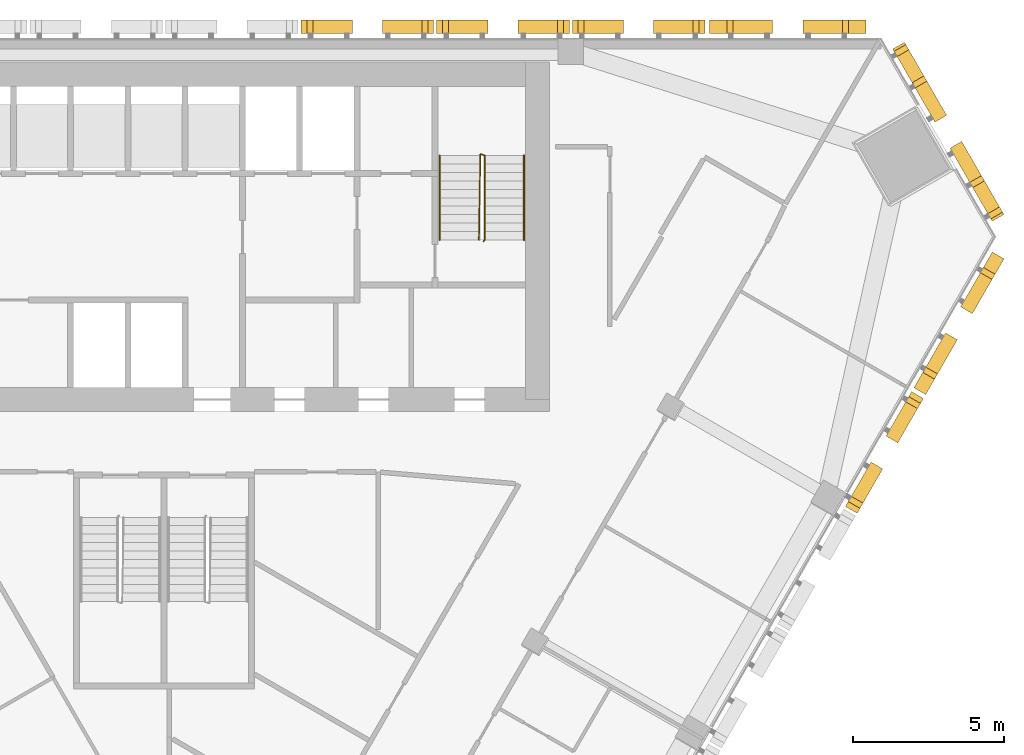
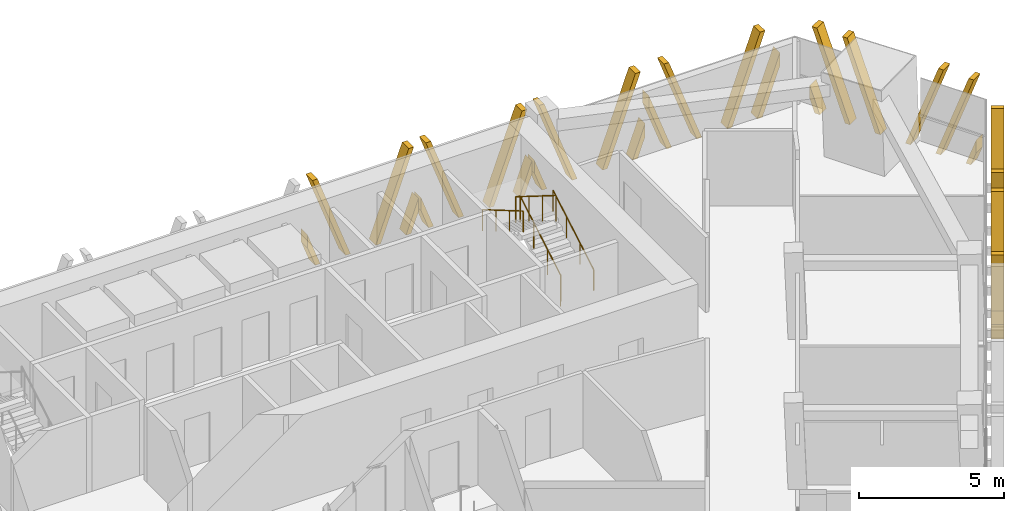
# One storey, part 15 of 16: 7 shading devices, 3 railings.
"""IFC4 building model written with IfcOpenShell, lengths in metres."""

from ifc_helpers import new_model, si_unit, direction, frame, origin, origin_2d, place, context, subcontext, project, spatial, polyline, circle, outline, extrude, source, transform, mapped, material, type_object, element, save


model = new_model("IFC4")

# Units and contexts
model_context = context("Model", 3, precision=1e-05, world=origin(), true_north=direction((0.0, 1.0)))
body_context = subcontext(model_context, "Body", "Model", "MODEL_VIEW")
ifc_project = project(units=[si_unit("LENGTHUNIT", "METRE"), si_unit("AREAUNIT", "SQUARE_METRE"), si_unit("VOLUMEUNIT", "CUBIC_METRE"), si_unit("PLANEANGLEUNIT", "RADIAN"), si_unit("MASSUNIT", "GRAM", prefix="KILO")], contexts=[model_context])

# Site, building, storey
site_placement = place(None, origin())
site = spatial("IfcSite", under=ifc_project, at=site_placement, CompositionType="ELEMENT")
building_placement = place(site_placement, origin())
building = spatial("IfcBuilding", under=site, at=building_placement, Name="Altiplano Prism Tower", CompositionType="ELEMENT")
storey_placement = place(building_placement, frame((0.0, 0.0, 138.60009765625)))
storey = spatial("IfcBuildingStorey", under=building, at=storey_placement, Name="L35", CompositionType="ELEMENT", Elevation=138.60009765625)

# Railings
ifc_material_1 = material(Name="Steel S355", Category="steel")
railing_type_1 = type_object("IfcRailingType", Name="Stair guard 1100", PredefinedType="GUARDRAIL", material=ifc_material_1)
railing_1_placement = place(storey_placement, frame((95.60009765625, 98.25, 0.0)))
element("IfcRailing", 1, at=railing_1_placement, inside=storey, type_object=railing_type_1, Name="L35 ST2 stair guard 1", PredefinedType="GUARDRAIL", context=body_context, shape_type="SweptSolid", body=[
    extrude(circle(Radius=0.02392578125, at=origin_2d()), frame((0.0, 0.0, 1.076171875), z_axis=(0.279546231943, 0.280916556609, 0.91811752648), x_axis=(-0.708833529934, 0.705375805398, 0.0)), (0.0, 0.0, 1.0), 0.17822265625),
    extrude(circle(Radius=0.02392578125, at=origin_2d()), frame((0.0498046875, 0.050048828125, 1.23974609375), z_axis=(0.0, 0.863393664356, 0.504530851732), x_axis=(-1.0, 0.0, 0.0)), (0.0, 0.0, 1.0), 3.2431640625),
    extrude(circle(Radius=0.02392578125, at=origin_2d()), frame((0.0498046875, 2.85009765625, 2.8759765625), z_axis=(-0.948991962702, 0.315300261223, 0.0), x_axis=(-0.315300261223, -0.948991962702, 0.0)), (0.0, 0.0, 1.0), 0.157958984375),
    extrude(circle(Radius=0.02392578125, at=origin_2d()), frame((-0.10009765625, 2.89990234375, 2.8759765625), z_axis=(-0.014846418356, -0.845376787675, 0.533964109957), x_axis=(0.999845825584, -0.017559187376, 0.0)), (0.0, 0.0, 1.0), 3.37109375),
    extrude(circle(Radius=0.02099609375, at=origin_2d()), origin(), (0.0, 0.0, 1.0), 1.052001953125),
    extrude(circle(Radius=0.02099609375, at=origin_2d()), frame((0.0498046875, 0.050048828125, 0.16357421875)), (0.0, 0.0, 1.0), 1.052001953125),
    extrude(circle(Radius=0.02099609375, at=origin_2d()), frame((0.0498046875, 0.9833984375, 0.708984375)), (0.0, 0.0, 1.0), 1.052001953125),
    extrude(circle(Radius=0.02099609375, at=origin_2d()), frame((0.0498046875, 1.916748046875, 1.25439453125)), (0.0, 0.0, 1.0), 1.052001953125),
    extrude(circle(Radius=0.02099609375, at=origin_2d()), frame((0.0498046875, 2.85009765625, 1.7998046875)), (0.0, 0.0, 1.0), 1.052001953125),
    extrude(circle(Radius=0.02099609375, at=origin_2d()), frame((-0.10009765625, 2.89990234375, 1.7998046875)), (0.0, 0.0, 1.0), 1.052001953125),
    extrude(circle(Radius=0.02099609375, at=origin_2d()), frame((-0.11669921875, 1.949951171875, 2.39990234375)), (0.0, 0.0, 1.0), 1.052001953125),
    extrude(circle(Radius=0.02099609375, at=origin_2d()), frame((-0.133544921875, 1.0, 2.999755859375)), (0.0, 0.0, 1.0), 1.052001953125),
    extrude(circle(Radius=0.02099609375, at=origin_2d()), frame((-0.150146484375, 0.050048828125, 3.599853515625)), (0.0, 0.0, 1.0), 1.052001953125),
])
railing_type_2 = type_object("IfcRailingType", Name="Stair handrail 900", PredefinedType="HANDRAIL", material=ifc_material_1)
railing_2_placement = place(storey_placement, frame((96.949951171875, 98.300048828125, 0.16357421875)))
element("IfcRailing", 2, at=railing_2_placement, inside=storey, type_object=railing_type_2, Name="L35 ST2 stair handrail 1", PredefinedType="HANDRAIL", context=body_context, shape_type="SweptSolid", body=[
    extrude(circle(Radius=0.02392578125, at=origin_2d()), frame((0.0, 0.0, 0.8759765625), z_axis=(0.0, 0.863393664356, 0.504530851732), x_axis=(-1.0, 0.0, 0.0)), (0.0, 0.0, 1.0), 3.2431640625),
    extrude(circle(Radius=0.02099609375, at=origin_2d()), origin(), (0.0, 0.0, 1.0), 0.851806640625),
    extrude(circle(Radius=0.02099609375, at=origin_2d()), frame((0.0, 0.933349609375, 0.54541015625)), (0.0, 0.0, 1.0), 0.851806640625),
    extrude(circle(Radius=0.02099609375, at=origin_2d()), frame((0.0, 1.86669921875, 1.0908203125)), (0.0, 0.0, 1.0), 0.851806640625),
    extrude(circle(Radius=0.02099609375, at=origin_2d()), frame((0.0, 2.800048828125, 1.63623046875)), (0.0, 0.0, 1.0), 0.851806640625),
])
railing_3_placement = place(storey_placement, frame((94.14990234375, 101.10009765625, 1.963623046875)))
element("IfcRailing", 3, at=railing_3_placement, inside=storey, type_object=railing_type_2, Name="L35 ST2 stair handrail 2", PredefinedType="HANDRAIL", context=body_context, shape_type="SweptSolid", body=[
    extrude(circle(Radius=0.02392578125, at=origin_2d()), frame((0.0, 0.0, 0.8759765625), z_axis=(0.0, -0.863393664356, 0.504530851732), x_axis=(1.0, 0.0, 0.0)), (0.0, 0.0, 1.0), 3.2431640625),
    extrude(circle(Radius=0.02099609375, at=origin_2d()), origin(), (0.0, 0.0, 1.0), 0.851806640625),
    extrude(circle(Radius=0.02099609375, at=origin_2d()), frame((0.0, -0.933349609375, 0.54541015625)), (0.0, 0.0, 1.0), 0.851806640625),
    extrude(circle(Radius=0.02099609375, at=origin_2d()), frame((0.0, -1.86669921875, 1.0908203125)), (0.0, 0.0, 1.0), 0.851806640625),
    extrude(circle(Radius=0.02099609375, at=origin_2d()), frame((0.0, -2.800048828125, 1.63623046875)), (0.0, 0.0, 1.0), 0.851806640625),
])

# Shading devices
ifc_material_2 = material(Name="Warm limestone cast stone", Category="masonry")
shading_device_type_1 = type_object("IfcShadingDeviceType", Name="Stone fin panel, standard unit", PredefinedType="USERDEFINED", material=ifc_material_2)
shared_shape_1 = source(origin(), body_context, "Body", "SweptSolid", [
    extrude(outline(polyline([(-2.199951171875, 1.373779296875), (-2.199951171875, 0.82421875), (-1.89990234375, 0.0), (-1.699951171875, 0.0), (-2.199951171875, 1.373779296875)])), frame((0.0, -0.14990234375, 0.0), z_axis=(0.0, -1.0, 0.0), x_axis=(1.0, 0.0, 0.0)), (0.0, 0.0, 1.0), 0.4501953125),
    extrude(outline(polyline([(-2.01025390625, 3.60009765625), (-0.699951171875, 0.0), (-0.5, 0.0), (-1.810302734375, 3.60009765625), (-2.01025390625, 3.60009765625)])), frame((0.0, -0.14990234375, 0.0), z_axis=(0.0, -1.0, 0.0), x_axis=(1.0, 0.0, 0.0)), (0.0, 0.0, 1.0), 0.4501953125),
    extrude(outline(polyline([(1.810302734375, 3.60009765625), (0.5, 0.0), (0.699951171875, 0.0), (2.01025390625, 3.60009765625), (1.810302734375, 3.60009765625)])), frame((0.0, -0.14990234375, 0.0), z_axis=(0.0, -1.0, 0.0), x_axis=(1.0, 0.0, 0.0)), (0.0, 0.0, 1.0), 0.4501953125),
    extrude(outline(polyline([(2.199951171875, 0.82421875), (2.199951171875, 1.373779296875), (1.699951171875, 0.0), (1.89990234375, 0.0), (2.199951171875, 0.82421875)])), frame((0.0, -0.14990234375, 0.0), z_axis=(0.0, -1.0, 0.0), x_axis=(1.0, 0.0, 0.0)), (0.0, 0.0, 1.0), 0.4501953125),
])
shading_device_1_placement = place(storey_placement, origin())
element("IfcShadingDevice", 4, at=shading_device_1_placement, inside=storey, type_object=shading_device_type_1, Name="Fin L35 north face 2", ObjectType="FIN", PredefinedType="USERDEFINED", context=body_context, shape_type="MappedRepresentation", body=[
    mapped(shared_shape_1, transform((100.75, 105.0, -0.4501953125), x_axis=(-1.0, 0.0, 0.0), y_axis=(0.0, -1.0, 0.0), z_axis=(0.0, 0.0, 1.0))),
])
shading_device_2_placement = place(storey_placement, origin())
element("IfcShadingDevice", 5, at=shading_device_2_placement, inside=storey, type_object=shading_device_type_1, Name="Fin L35 north face 3", ObjectType="FIN", PredefinedType="USERDEFINED", context=body_context, shape_type="MappedRepresentation", body=[
    mapped(shared_shape_1, transform((96.25, 105.0, -0.4501953125), x_axis=(-1.0, 0.0, 0.0), y_axis=(0.0, -1.0, 0.0), z_axis=(0.0, 0.0, 1.0))),
])
shading_device_3_placement = place(storey_placement, origin())
element("IfcShadingDevice", 6, at=shading_device_3_placement, inside=storey, type_object=shading_device_type_1, Name="Fin L35 north face 4", ObjectType="FIN", PredefinedType="USERDEFINED", context=body_context, shape_type="MappedRepresentation", body=[
    mapped(shared_shape_1, transform((91.75, 105.0, -0.4501953125), x_axis=(-1.0, 0.0, 0.0), y_axis=(0.0, -1.0, 0.0), z_axis=(0.0, 0.0, 1.0))),
])
shading_device_4_placement = place(storey_placement, origin())
element("IfcShadingDevice", 7, at=shading_device_4_placement, inside=storey, type_object=shading_device_type_1, Name="Fin L35 south-east face 9", ObjectType="FIN", PredefinedType="USERDEFINED", context=body_context, shape_type="MappedRepresentation", body=[
    mapped(shared_shape_1, transform((108.581787109375, 91.434814453125, -0.4501953125), x_axis=(0.499999989809, 0.866025409668, 0.0), y_axis=(-0.866025409668, 0.499999989809, 0.0), z_axis=(0.0, 0.0, 1.0))),
])
shading_device_type_2 = type_object("IfcShadingDeviceType", Name="Stone fin panel, wide closing bay", PredefinedType="USERDEFINED", material=ifc_material_2)
shared_shape_2 = source(origin(), body_context, "Body", "SweptSolid", [
    extrude(outline(polyline([(-2.60009765625, 2.47265625), (-2.60009765625, 1.923095703125), (-1.89990234375, 0.0), (-1.699951171875, 0.0), (-2.60009765625, 2.47265625)])), frame((0.0, -0.14990234375, 0.0), z_axis=(0.0, -1.0, 0.0), x_axis=(1.0, 0.0, 0.0)), (0.0, 0.0, 1.0), 0.4501953125),
    extrude(outline(polyline([(-2.01025390625, 3.60009765625), (-0.699951171875, 0.0), (-0.5, 0.0), (-1.810302734375, 3.60009765625), (-2.01025390625, 3.60009765625)])), frame((0.0, -0.14990234375, 0.0), z_axis=(0.0, -1.0, 0.0), x_axis=(1.0, 0.0, 0.0)), (0.0, 0.0, 1.0), 0.4501953125),
    extrude(outline(polyline([(1.810302734375, 3.60009765625), (0.5, 0.0), (0.699951171875, 0.0), (2.01025390625, 3.60009765625), (1.810302734375, 3.60009765625)])), frame((0.0, -0.14990234375, 0.0), z_axis=(0.0, -1.0, 0.0), x_axis=(1.0, 0.0, 0.0)), (0.0, 0.0, 1.0), 0.4501953125),
    extrude(outline(polyline([(2.60009765625, 1.923095703125), (2.60009765625, 2.47265625), (1.699951171875, 0.0), (1.89990234375, 0.0), (2.60009765625, 1.923095703125)])), frame((0.0, -0.14990234375, 0.0), z_axis=(0.0, -1.0, 0.0), x_axis=(1.0, 0.0, 0.0)), (0.0, 0.0, 1.0), 0.4501953125),
])
shading_device_5_placement = place(storey_placement, origin())
element("IfcShadingDevice", 8, at=shading_device_5_placement, inside=storey, type_object=shading_device_type_2, Name="Fin L35 north face 1", ObjectType="FIN", PredefinedType="USERDEFINED", context=body_context, shape_type="MappedRepresentation", body=[
    mapped(shared_shape_2, transform((105.699951171875, 105.0, -0.4501953125), x_axis=(-1.0, 0.0, 0.0), y_axis=(0.0, -1.0, 0.0), z_axis=(0.0, 0.0, 1.0))),
])
shading_device_6_placement = place(storey_placement, origin())
element("IfcShadingDevice", 9, at=shading_device_6_placement, inside=storey, type_object=shading_device_type_2, Name="Fin L35 south-east face 10", ObjectType="FIN", PredefinedType="USERDEFINED", context=body_context, shape_type="MappedRepresentation", body=[
    mapped(shared_shape_2, transform((111.056884765625, 95.7216796875, -0.4501953125), x_axis=(0.499999989809, 0.866025409668, 0.0), y_axis=(-0.866025409668, 0.499999989809, 0.0), z_axis=(0.0, 0.0, 1.0))),
])
shading_device_type_3 = type_object("IfcShadingDeviceType", Name="Stone fin panel, chamfer unit", PredefinedType="USERDEFINED", material=ifc_material_2)
shared_shape_3 = source(origin(), body_context, "Body", "SweptSolid", [
    extrude(outline(polyline([(-3.300048828125, 1.09912109375), (-3.300048828125, 0.549560546875), (-3.10009765625, 0.0), (-2.89990234375, 0.0), (-3.300048828125, 1.09912109375)])), frame((0.0, -0.14990234375, 0.0), z_axis=(0.0, -1.0, 0.0), x_axis=(1.0, 0.0, 0.0)), (0.0, 0.0, 1.0), 0.4501953125),
    extrude(outline(polyline([(-3.210205078125, 3.60009765625), (-1.89990234375, 0.0), (-1.699951171875, 0.0), (-3.01025390625, 3.60009765625), (-3.210205078125, 3.60009765625)])), frame((0.0, -0.14990234375, 0.0), z_axis=(0.0, -1.0, 0.0), x_axis=(1.0, 0.0, 0.0)), (0.0, 0.0, 1.0), 0.4501953125),
    extrude(outline(polyline([(-2.01025390625, 3.60009765625), (-0.699951171875, 0.0), (-0.5, 0.0), (-1.810302734375, 3.60009765625), (-2.01025390625, 3.60009765625)])), frame((0.0, -0.14990234375, 0.0), z_axis=(0.0, -1.0, 0.0), x_axis=(1.0, 0.0, 0.0)), (0.0, 0.0, 1.0), 0.4501953125),
    extrude(outline(polyline([(1.810302734375, 3.60009765625), (0.5, 0.0), (0.699951171875, 0.0), (2.01025390625, 3.60009765625), (1.810302734375, 3.60009765625)])), frame((0.0, -0.14990234375, 0.0), z_axis=(0.0, -1.0, 0.0), x_axis=(1.0, 0.0, 0.0)), (0.0, 0.0, 1.0), 0.4501953125),
    extrude(outline(polyline([(3.01025390625, 3.60009765625), (1.699951171875, 0.0), (1.89990234375, 0.0), (3.210205078125, 3.60009765625), (3.01025390625, 3.60009765625)])), frame((0.0, -0.14990234375, 0.0), z_axis=(0.0, -1.0, 0.0), x_axis=(1.0, 0.0, 0.0)), (0.0, 0.0, 1.0), 0.4501953125),
    extrude(outline(polyline([(3.300048828125, 0.549560546875), (3.300048828125, 1.09912109375), (2.89990234375, 0.0), (3.10009765625, 0.0), (3.300048828125, 0.549560546875)])), frame((0.0, -0.14990234375, 0.0), z_axis=(0.0, -1.0, 0.0), x_axis=(1.0, 0.0, 0.0)), (0.0, 0.0, 1.0), 0.4501953125),
])
shading_device_7_placement = place(storey_placement, origin())
element("IfcShadingDevice", 10, at=shading_device_7_placement, inside=storey, type_object=shading_device_type_3, Name="Fin L35 north-east chamfer 1", ObjectType="FIN", PredefinedType="USERDEFINED", context=body_context, shape_type="MappedRepresentation", body=[
    mapped(shared_shape_3, transform((110.703369140625, 101.703125, -0.4501953125), x_axis=(-0.500000004206, 0.866025401356, 0.0), y_axis=(-0.866025401356, -0.500000004206, 0.0), z_axis=(0.0, 0.0, 1.0))),
])

save(model, "model.ifc")
